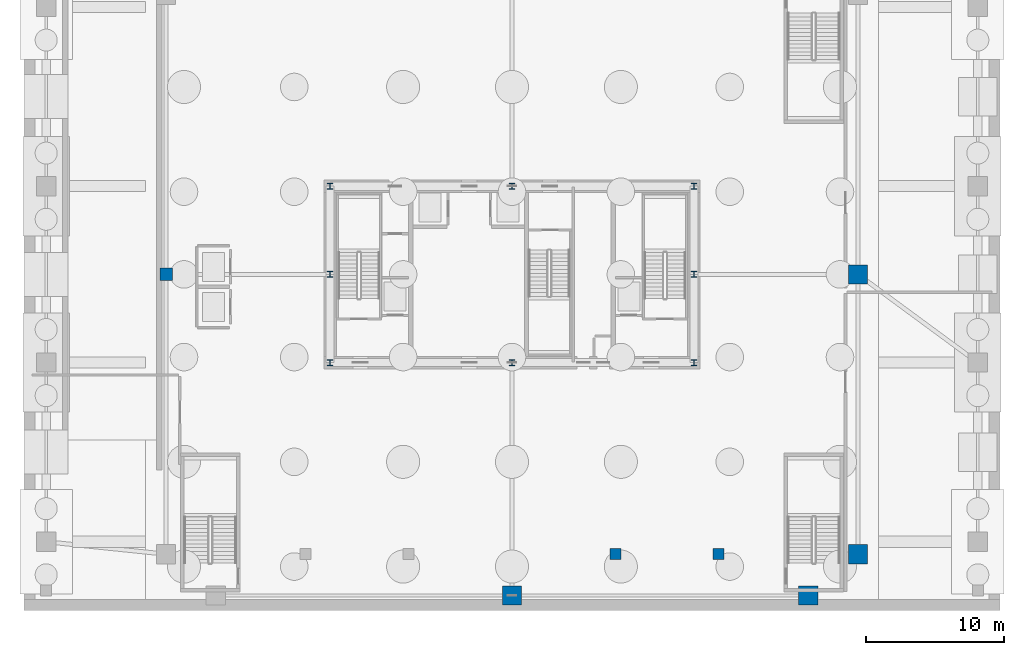
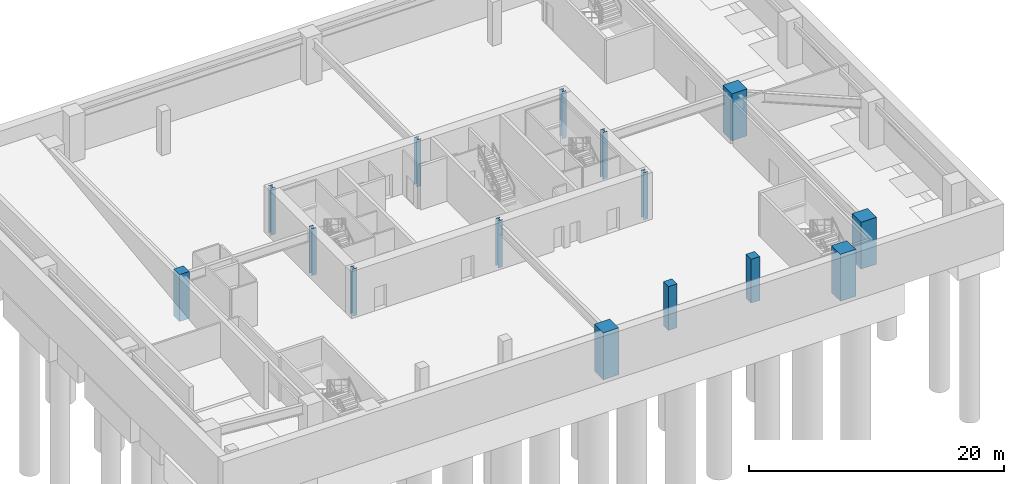
# One storey, part 2 of 10: 15 columns.
"""IFC4 building model written with IfcOpenShell, lengths in metres."""

from ifc_helpers import new_model, si_unit, direction, frame, origin, origin_2d, place, context, subcontext, project, spatial, rectangle, i_section, extrude, source, transform, mapped, material, material_profile, profile_set, type_object, element, save


model = new_model("IFC4")

# Units and contexts
model_context = context("Model", 3, precision=1e-05, world=origin(), true_north=direction((0.0, 1.0)))
body_context = subcontext(model_context, "Body", "Model", "MODEL_VIEW")
ifc_project = project(units=[si_unit("LENGTHUNIT", "METRE"), si_unit("AREAUNIT", "SQUARE_METRE"), si_unit("VOLUMEUNIT", "CUBIC_METRE"), si_unit("PLANEANGLEUNIT", "RADIAN"), si_unit("MASSUNIT", "GRAM", prefix="KILO"), si_unit("THERMODYNAMICTEMPERATUREUNIT", "KELVIN"), si_unit("POWERUNIT", "WATT")], contexts=[model_context])

# Site, building, storey
site_placement = place(None, origin())
site = spatial("IfcSite", under=ifc_project, at=site_placement, CompositionType="ELEMENT")
building_placement = place(site_placement, origin())
building = spatial("IfcBuilding", under=site, at=building_placement, Name="Yuzanri Waterfront Tower", CompositionType="ELEMENT")
storey_placement = place(building_placement, frame((0.0, 0.0, -9.0)))
storey = spatial("IfcBuildingStorey", under=building, at=storey_placement, Name="B02", CompositionType="ELEMENT", Elevation=-9.0)

# Columns
ifc_material_1 = material(Name="Concrete C50", Category="concrete")
ifc_material_profile_1 = material_profile(ifc_material_1, rectangle(XDim=0.800048828125, YDim=0.800048828125, at=origin_2d()), Name="RC 800x800")
ifc_profile_set_1 = profile_set([ifc_material_profile_1], Name="Concrete C50")
column_type_1 = type_object("IfcColumnType", Name="Upper Podium RC Column C50 800x800", PredefinedType="COLUMN", material=ifc_profile_set_1)
shared_shape_1 = source(origin(), body_context, "Body", "SweptSolid", [
    extrude(rectangle(XDim=0.800048828125, YDim=0.800048828125, at=origin_2d()), origin(), (0.0, 0.0, 1.0), 4.199951171875),
])
for number, where, z_axis, x_axis, name in (
    (1, (44.5, 5.5, 0.0), (0.0, 0.0, 1.0), (1.0, 0.0, 0.0), "B02 Basement Sub-Grid Column 3"),
    (2, (52.0, 5.5, 0.0), (0.0, 0.0, 1.0), (1.0, 0.0, 0.0), "B02 Basement Sub-Grid Column 4"),
):
    element("IfcColumn", number, at=place(storey_placement, frame(where, z_axis=z_axis, x_axis=x_axis)), inside=storey, type_object=column_type_1, Name=name, PredefinedType="COLUMN", context=body_context, shape_type="MappedRepresentation", body=[
        mapped(shared_shape_1, transform((0.0, 0.0, 0.0), scale=1.0)),
    ])
ifc_material_2 = material(Name="Steel Q355B", Category="steel")
ifc_material_profile_2 = material_profile(ifc_material_2, i_section(OverallWidth=0.406982421875, OverallDepth=0.427978515625, WebThickness=0.02001953125, FlangeThickness=0.034912109375, at=origin_2d()), Name="HW 428x407x20x35")
ifc_profile_set_2 = profile_set([ifc_material_profile_2], Name="Steel Q355B")
column_type_2 = type_object("IfcColumnType", Name="Core Post Q355B HW 428x407x20x35", PredefinedType="COLUMN", material=ifc_profile_set_2)
shared_shape_2 = source(origin(), body_context, "Body", "SweptSolid", [
    extrude(i_section(OverallWidth=0.406982421875, OverallDepth=0.427978515625, WebThickness=0.02001953125, FlangeThickness=0.034912109375, at=origin_2d()), origin(), (0.0, 0.0, 1.0), 4.5),
])
for number, where, z_axis, x_axis, name in (
    (3, (23.800048828125, 19.39990234375, 0.0), (0.0, 0.0, 1.0), (1.0, 0.0, 0.0), "B02 Core Boundary Column CP1"),
    (4, (37.0, 19.39990234375, 0.0), (0.0, 0.0, 1.0), (1.0, 0.0, 0.0), "B02 Core Boundary Column CP2"),
    (5, (50.199951171875, 19.39990234375, 0.0), (0.0, 0.0, 1.0), (1.0, 0.0, 0.0), "B02 Core Boundary Column CP3"),
    (6, (23.800048828125, 25.800048828125, 0.0), (0.0, 0.0, 1.0), (1.0, 0.0, 0.0), "B02 Core Boundary Column CP4"),
    (7, (50.199951171875, 25.800048828125, 0.0), (0.0, 0.0, 1.0), (1.0, 0.0, 0.0), "B02 Core Boundary Column CP5"),
    (8, (23.800048828125, 32.199951171875, 0.0), (0.0, 0.0, 1.0), (1.0, 0.0, 0.0), "B02 Core Boundary Column CP6"),
    (9, (37.0, 32.199951171875, 0.0), (0.0, 0.0, 1.0), (1.0, 0.0, 0.0), "B02 Core Boundary Column CP7"),
    (10, (50.199951171875, 32.199951171875, 0.0), (0.0, 0.0, 1.0), (1.0, 0.0, 0.0), "B02 Core Boundary Column CP8"),
):
    element("IfcColumn", number, at=place(storey_placement, frame(where, z_axis=z_axis, x_axis=x_axis)), inside=storey, type_object=column_type_2, Name=name, PredefinedType="COLUMN", context=body_context, shape_type="MappedRepresentation", body=[
        mapped(shared_shape_2, transform((0.0, 0.0, 0.0), scale=1.0)),
    ])
ifc_material_3 = material(Name="Concrete C60", Category="concrete")
ifc_material_profile_3 = material_profile(ifc_material_3, rectangle(XDim=1.39990234375, YDim=1.39990234375, at=origin_2d()), Name="RC 1400x1400")
ifc_profile_set_3 = profile_set([ifc_material_profile_3], Name="Concrete C60")
column_type_3 = type_object("IfcColumnType", Name="Podium RC Column C60 1400x1400", PredefinedType="COLUMN", material=ifc_profile_set_3)
shared_shape_3 = source(origin(), body_context, "Body", "SweptSolid", [
    extrude(rectangle(XDim=1.39990234375, YDim=1.39990234375, at=origin_2d()), origin(), (0.0, 0.0, 1.0), 4.5),
])
for number, where, z_axis, x_axis, name in (
    (11, (62.10009765625, 5.5, 0.0), (0.0, 0.0, 1.0), (1.0, 0.0, 0.0), "B02 Podium Column PTE1"),
    (12, (62.10009765625, 25.800048828125, 0.0), (0.0, 0.0, 1.0), (1.0, 0.0, 0.0), "B02 Podium Column PTE2"),
    (13, (37.0, 2.5, 0.0), (0.0, 0.0, 1.0), (1.0, 0.0, 0.0), "B02 Podium Column PTS2"),
    (14, (58.5, 2.5, 0.0), (0.0, 0.0, 1.0), (1.0, 0.0, 0.0), "B02 Podium Column PTS3"),
):
    element("IfcColumn", number, at=place(storey_placement, frame(where, z_axis=z_axis, x_axis=x_axis)), inside=storey, type_object=column_type_3, Name=name, PredefinedType="COLUMN", context=body_context, shape_type="MappedRepresentation", body=[
        mapped(shared_shape_3, transform((0.0, 0.0, 0.0), scale=1.0)),
    ])
ifc_material_4 = material(Name="Concrete C50", Category="concrete")
ifc_material_profile_4 = material_profile(ifc_material_4, rectangle(XDim=0.89990234375, YDim=0.89990234375, at=origin_2d()), Name="RC 900x900")
ifc_profile_set_4 = profile_set([ifc_material_profile_4], Name="Concrete C50")
column_type_4 = type_object("IfcColumnType", Name="Basement RC Column C50 900x900", PredefinedType="COLUMN", material=ifc_profile_set_4)
shared_shape_4 = source(origin(), body_context, "Body", "SweptSolid", [
    extrude(rectangle(XDim=0.89990234375, YDim=0.89990234375, at=origin_2d()), origin(), (0.0, 0.0, 1.0), 4.5),
])
column_placement = place(storey_placement, frame((11.89990234375, 25.800048828125, 0.0), z_axis=(0.0, 0.0, 1.0), x_axis=(1.0, 0.0, 0.0)))
element("IfcColumn", 15, at=column_placement, inside=storey, type_object=column_type_4, Name="B02 Podium Ballroom-Under Column PTW2", PredefinedType="COLUMN", context=body_context, shape_type="MappedRepresentation", body=[
    mapped(shared_shape_4, transform((0.0, 0.0, 0.0), scale=1.0)),
])

save(model, "model.ifc")
